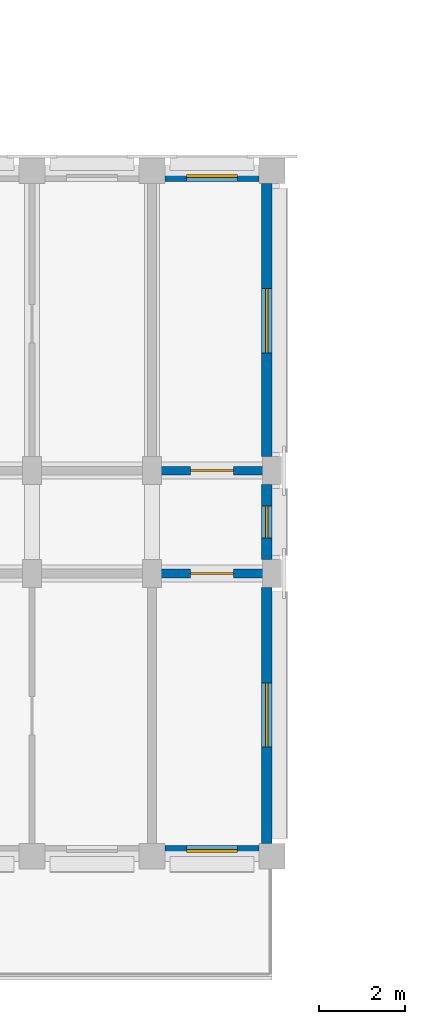
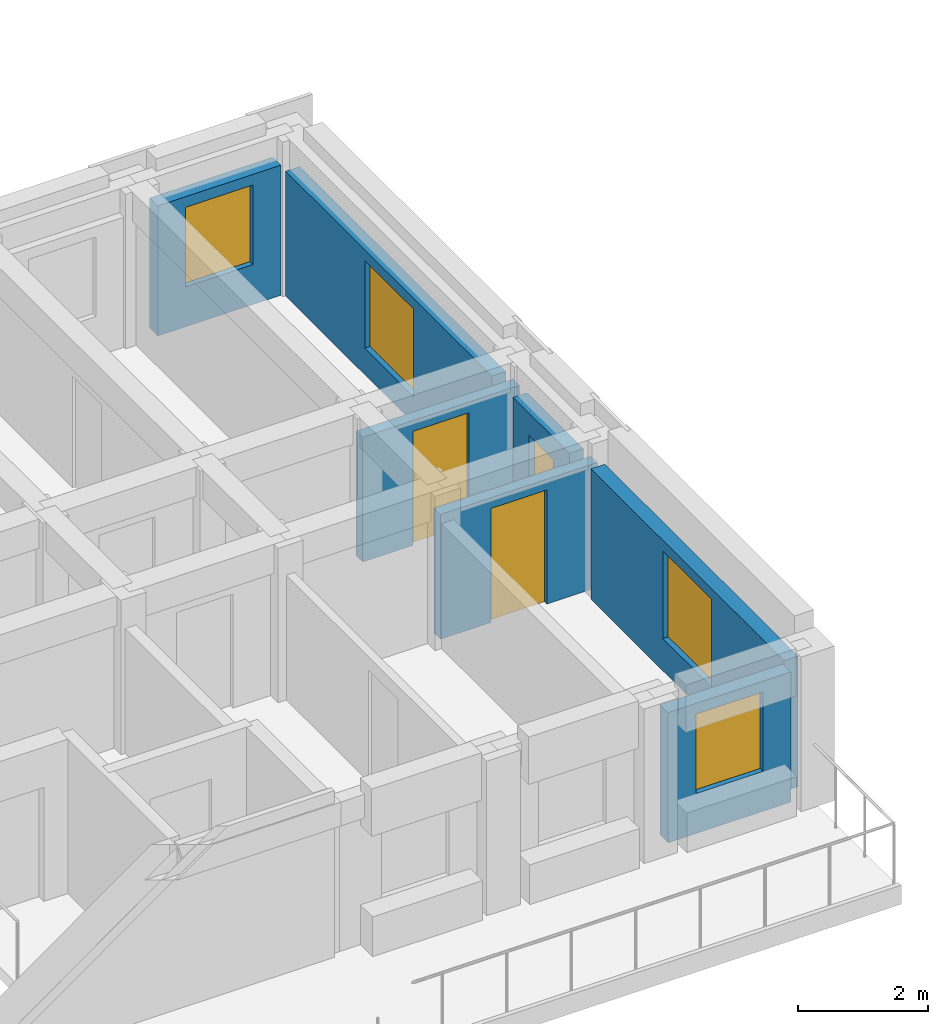
# One storey, part 21 of 53: 7 walls, 5 windows, 2 doors, 7 openings.
"""IFC4 building model written with IfcOpenShell, lengths in metres."""

import ifcopenshell
import ifcopenshell.guid

model = None  # the IFC model being written
_history = None  # IfcOwnerHistory: only IFC2X3 demands one
_inside = {}  # id of a spatial element -> (the spatial element, [elements in it])
_under = {}  # id of a project, library or spatial element -> (it, [spatial elements below it])
_declared = {}  # id of a project -> (the project, [libraries it declares])
_typed = {}  # id of a type object -> (the type object, [elements of that type])
_made_of = {}  # id of a material, layer set ... -> (it, [elements and type objects made of it])


def new_model(schema):
    """Start an empty IFC model of exactly this schema.

    Asked for "IFC4X3", IfcOpenShell would pick the latest addendum, in which some entities
    have other attributes; the version numbers below select the first issue.
    IFC2X3 requires an IfcOwnerHistory on every rooted entity: one is made here for all.
    """
    global model, _history
    if schema == "IFC4X3":
        model = ifcopenshell.file(schema_version=(4, 3, 0, 0))
    else:
        model = ifcopenshell.file(schema=schema)
    _inside.clear()
    _under.clear()
    _declared.clear()
    _typed.clear()
    _made_of.clear()
    _history = None
    if model.schema == "IFC2X3":
        org = make("IfcOrganization", Name="unknown")
        user = make(
            "IfcPersonAndOrganization",
            ThePerson=make("IfcPerson", FamilyName="unknown"),
            TheOrganization=org,
        )
        app = make(
            "IfcApplication",
            ApplicationDeveloper=org,
            Version="unknown",
            ApplicationFullName="unknown",
            ApplicationIdentifier="unknown",
        )
        _history = make(
            "IfcOwnerHistory",
            OwningUser=user,
            OwningApplication=app,
            ChangeAction="ADDED",
            CreationDate=0,
        )
    return model


def make(cls, **values):
    """One entity of the class cls with the attributes given. An attribute that is None is left unset."""
    return model.create_entity(
        cls, **{name: value for name, value in values.items() if value is not None}
    )


def rooted(cls, **values):
    """An entity with a GlobalId (a new one), such as an element, a storey or a relation."""
    return make(cls, GlobalId=ifcopenshell.guid.new(), OwnerHistory=_history, **values)


def si_unit(unit_type, name, prefix=None):
    """IfcSIUnit, for example si_unit("LENGTHUNIT", "METRE", prefix="MILLI")."""
    return make("IfcSIUnit", UnitType=unit_type, Prefix=prefix, Name=name)


def assignment(units):
    """IfcUnitAssignment: the units of a project."""
    return None if units is None else make("IfcUnitAssignment", Units=units)


def point(xyz):
    """IfcCartesianPoint."""
    return None if xyz is None else make("IfcCartesianPoint", Coordinates=xyz)


def direction(xyz):
    """IfcDirection."""
    return None if xyz is None else make("IfcDirection", DirectionRatios=xyz)


def frame(location, z_axis=None, x_axis=None):
    """IfcAxis2Placement3D, a coordinate frame: its origin and axes. An axis left out is left unset."""
    return make(
        "IfcAxis2Placement3D",
        Location=point(location),
        Axis=direction(z_axis),
        RefDirection=direction(x_axis),
    )


def frame_2d(location, x_axis=None):
    """IfcAxis2Placement2D, a coordinate frame in the plane: its origin and x axis."""
    return make(
        "IfcAxis2Placement2D", Location=point(location), RefDirection=direction(x_axis)
    )


def origin():
    """The frame at (0, 0, 0) with its axes left unset."""
    return frame((0.0, 0.0, 0.0))


def place(relative_to, where):
    """IfcLocalPlacement: puts the frame where relative to a parent placement (None: the world)."""
    return make(
        "IfcLocalPlacement", PlacementRelTo=relative_to, RelativePlacement=where
    )


def context(
    kind, dimensions, precision=None, world=None, true_north=None, identifier=None
):
    """IfcGeometricRepresentationContext, for example the 3D "Model" context."""
    return make(
        "IfcGeometricRepresentationContext",
        ContextIdentifier=identifier,
        ContextType=kind,
        CoordinateSpaceDimension=dimensions,
        Precision=precision,
        WorldCoordinateSystem=world,
        TrueNorth=true_north,
    )


def subcontext(parent, identifier, kind, view, scale=None):
    """IfcGeometricRepresentationSubContext, for example "Body" below "Model"."""
    return make(
        "IfcGeometricRepresentationSubContext",
        ContextIdentifier=identifier,
        ContextType=kind,
        ParentContext=parent,
        TargetScale=scale,
        TargetView=view,
    )


def project(units=None, contexts=None):
    """IfcProject with its units and contexts."""
    return rooted(
        "IfcProject",
        Name="project",
        RepresentationContexts=contexts,
        UnitsInContext=assignment(units),
    )


def spatial(cls, under=None, at=None, **own):
    """A site, building, storey or space (cls), placed at a placement, below another one or the project."""
    s = rooted(cls, ObjectPlacement=at, **own)
    if under is not None:
        _under.setdefault(under.id(), (under, []))[1].append(s)
    return s


def profile(cls, at=None, kind="AREA", **sizes):
    """A parametric profile (cls). Its sizes go by their IFC names, for example OverallWidth=200.0."""
    return make(cls, ProfileType=kind, Position=at, **sizes)


def rectangle(**sizes):
    """IfcRectangleProfileDef."""
    return profile("IfcRectangleProfileDef", **sizes)


def extrude(swept, where, along, depth):
    """IfcExtrudedAreaSolid: the profile swept, set in the frame where, extruded along a direction by depth."""
    return make(
        "IfcExtrudedAreaSolid",
        SweptArea=swept,
        Position=where,
        ExtrudedDirection=direction(along),
        Depth=depth,
    )


def shape(context_of_items, identifier, shape_type, items):
    """IfcShapeRepresentation: the items that make up one representation, for example the "Body"."""
    return make(
        "IfcShapeRepresentation",
        ContextOfItems=context_of_items,
        RepresentationIdentifier=identifier,
        RepresentationType=shape_type,
        Items=items,
    )


def material(Name=None, Category=None):
    """IfcMaterial."""
    return make("IfcMaterial", Name=Name, Category=Category)


def layer(
    of_material, thickness, ventilated=None, Name=None, Category=None, Priority=None
):
    """IfcMaterialLayer: one layer of a wall or slab, of a material (None: an air gap)."""
    return make(
        "IfcMaterialLayer",
        Material=of_material,
        LayerThickness=thickness,
        IsVentilated=ventilated,
        Name=Name,
        Category=Category,
        Priority=Priority,
    )


def layer_set(layers, Name=None):
    """IfcMaterialLayerSet."""
    return make("IfcMaterialLayerSet", MaterialLayers=layers, LayerSetName=Name)


def made_of(thing, what):
    """Note that an element or type object is made of a material, layer set ...; save() writes the relation."""
    if what is not None:
        _made_of.setdefault(what.id(), (what, []))[1].append(thing)
    return thing


def type_object(cls, material=None, **own):
    """A type object (cls), such as IfcWallType, which elements share."""
    return made_of(rooted(cls, **own), material)


def element(
    cls,
    number,
    at=None,
    inside=None,
    cuts=None,
    type_object=None,
    material=None,
    context=None,
    identifier="Body",
    shape_type=None,
    held_by="IfcProductDefinitionShape",
    body=None,
    shapes=None,
    **own,
):
    """One element of the class cls, such as IfcWall. Its Tag is "e" and its number.

    at: its placement. inside: the storey or other place that contains it. cuts: it is an
    opening in that element (IfcRelVoidsElement). A single representation is given by context,
    identifier, shape_type and body (its items); several are given by shapes. held_by: the class
    of the entity that holds the representations. save() writes the other relations.
    """
    e = rooted(cls, Tag="e%d" % number, ObjectPlacement=at, **own)
    if body is not None:
        shapes = [shape(context, identifier, shape_type, body)]
    if shapes is not None:
        e.Representation = make(held_by, Representations=shapes)
    if inside is not None:
        _inside.setdefault(inside.id(), (inside, []))[1].append(e)
    if cuts is not None:
        rooted(
            "IfcRelVoidsElement", RelatingBuildingElement=cuts, RelatedOpeningElement=e
        )
    if type_object is not None:
        _typed.setdefault(type_object.id(), (type_object, []))[1].append(e)
    return made_of(e, material)


def fill(opening, filler):
    """IfcRelFillsElement: the door or window that sits in an opening."""
    return rooted(
        "IfcRelFillsElement",
        RelatingOpeningElement=opening,
        RelatedBuildingElement=filler,
    )


def aggregate(whole, parts):
    """IfcRelAggregates: a whole, such as a stair, and the parts it consists of."""
    return rooted("IfcRelAggregates", RelatingObject=whole, RelatedObjects=parts)


def save(model, path):
    """Write the relations noted so far, then the file.

    IfcRelAggregates (storeys below a building ...), IfcRelContainedInSpatialStructure (elements
    in a storey), IfcRelDefinesByType, IfcRelAssociatesMaterial and IfcRelDeclares: one each for
    every whole, place, type object, material and project.
    """
    for whole, parts in _under.values():
        aggregate(whole, parts)
    for where, things in _inside.values():
        rooted(
            "IfcRelContainedInSpatialStructure",
            RelatedElements=things,
            RelatingStructure=where,
        )
    for kind, things in _typed.values():
        rooted("IfcRelDefinesByType", RelatedObjects=things, RelatingType=kind)
    for what, things in _made_of.values():
        rooted("IfcRelAssociatesMaterial", RelatedObjects=things, RelatingMaterial=what)
    for by, libraries in _declared.values():
        rooted("IfcRelDeclares", RelatingContext=by, RelatedDefinitions=libraries)
    model.write(path)


model = new_model("IFC4")

# Units and contexts
model_context = context("Model", 3, precision=1e-05, world=origin(), true_north=direction((0.0, 1.0)))
body_context = subcontext(model_context, "Body", "Model", "MODEL_VIEW")
ifc_project = project(units=[si_unit("LENGTHUNIT", "METRE"), si_unit("AREAUNIT", "SQUARE_METRE"), si_unit("VOLUMEUNIT", "CUBIC_METRE"), si_unit("PLANEANGLEUNIT", "RADIAN"), si_unit("MASSUNIT", "GRAM", prefix="KILO")], contexts=[model_context])

# Site, building, storey
site_placement = place(None, origin())
site = spatial("IfcSite", under=ifc_project, at=site_placement, CompositionType="ELEMENT")
building_placement = place(site_placement, origin())
building = spatial("IfcBuilding", under=site, at=building_placement, Name="Kiranvali Square Residences", CompositionType="ELEMENT")
storey_placement = place(building_placement, frame((0.0, 0.0, 30.75)))
storey = spatial("IfcBuildingStorey", under=building, at=storey_placement, Name="L09", CompositionType="ELEMENT", Elevation=30.75)

# Wall, opening, door
ifc_material_1 = material(Name="Autoclaved aerated concrete blockwork masonry", Category="masonry")
ifc_layer_1 = layer(ifc_material_1, 0.199951171875)
ifc_layer_set_1 = layer_set([ifc_layer_1], Name="Autoclaved aerated concrete blockwork masonry")
wall_type_1 = type_object("IfcWallType", Name="WL-COR-200", PredefinedType="STANDARD", material=ifc_layer_set_1)
wall_1_placement = place(storey_placement, frame((65.0, 22.39990234375, 0.0), z_axis=(0.0, 0.0, 1.0), x_axis=(1.0, 0.0, 0.0)))
wall_1 = element("IfcWall", 1, at=wall_1_placement, inside=storey, type_object=wall_type_1, Name="L09 architectural wall WL-L09-C-A1CI-2", PredefinedType="STANDARD", context=body_context, shape_type="SweptSolid", body=[
    extrude(rectangle(XDim=2.800048828125, YDim=0.199951171875, at=frame_2d((1.39990234375, 0.0))), origin(), (0.0, 0.0, 1.0), 2.35205078125),
])
opening_1_placement = place(wall_1_placement, frame((0.89990234375, 0.0, 0.0)))
opening_1 = element("IfcOpeningElement", 2, at=opening_1_placement, cuts=wall_1, Name="Opening FD-APT-60", PredefinedType="OPENING", context=body_context, shape_type="SweptSolid", body=[
    extrude(rectangle(XDim=1.0, YDim=2.14990234375, at=frame_2d((0.5, 1.074951171875))), frame((0.0, 0.10986328125, 0.0), z_axis=(0.0, -1.0, 0.0), x_axis=(1.0, 0.0, 0.0)), (0.0, 0.0, 1.0), 0.219970703125),
])
ifc_material_2 = material(Name="Fire-rated acoustic hardwood and mineral-core door assembly", Category="wood")
door_type = type_object("IfcDoorType", Name="DR-APT-1000", OperationType="NOTDEFINED", PredefinedType="DOOR", material=ifc_material_2)
door_1_placement = place(opening_1_placement, frame((1.0, 0.0, 0.0), z_axis=(0.0, 0.0, 1.0), x_axis=(-1.0, 0.0, 0.0)))
door_1 = element("IfcDoor", 3, at=door_1_placement, inside=storey, type_object=door_type, Name="L09 door DR-L09-2268 (DR-APT-1000)", OperationType="SINGLE_SWING_RIGHT", OverallHeight=2.14990234375, OverallWidth=1.0, PredefinedType="DOOR", context=body_context, shape_type="SweptSolid", body=[
    extrude(rectangle(XDim=1.0, YDim=2.14990234375, at=frame_2d((0.5, 1.074951171875))), frame((0.0, 0.02490234375, 0.0), z_axis=(0.0, -1.0, 0.0), x_axis=(1.0, 0.0, 0.0)), (0.0, 0.0, 1.0), 0.050048828125),
])
fill(opening_1, door_1)

wall_2_placement = place(storey_placement, frame((65.0, 20.0, 0.0), z_axis=(0.0, 0.0, 1.0), x_axis=(1.0, 0.0, 0.0)))
wall_2 = element("IfcWall", 4, at=wall_2_placement, inside=storey, type_object=wall_type_1, Name="L09 architectural wall WL-L09-C-A1CO-2", PredefinedType="STANDARD", context=body_context, shape_type="SweptSolid", body=[
    extrude(rectangle(XDim=2.800048828125, YDim=0.199951171875, at=frame_2d((1.39990234375, 0.0))), origin(), (0.0, 0.0, 1.0), 2.35205078125),
])
opening_2_placement = place(wall_2_placement, frame((0.89990234375, 0.0, 0.0)))
opening_2 = element("IfcOpeningElement", 5, at=opening_2_placement, cuts=wall_2, Name="Opening FD-APT-60", PredefinedType="OPENING", context=body_context, shape_type="SweptSolid", body=[
    extrude(rectangle(XDim=1.0, YDim=2.14990234375, at=frame_2d((0.5, 1.074951171875))), frame((0.0, 0.10986328125, 0.0), z_axis=(0.0, -1.0, 0.0), x_axis=(1.0, 0.0, 0.0)), (0.0, 0.0, 1.0), 0.219970703125),
])
door_2_placement = place(opening_2_placement, origin())
door_2 = element("IfcDoor", 6, at=door_2_placement, inside=storey, type_object=door_type, Name="L09 door DR-L09-2269 (DR-APT-1000)", OperationType="SINGLE_SWING_LEFT", OverallHeight=2.14990234375, OverallWidth=1.0, PredefinedType="DOOR", context=body_context, shape_type="SweptSolid", body=[
    extrude(rectangle(XDim=1.0, YDim=2.14990234375, at=frame_2d((0.5, 1.074951171875))), frame((0.0, 0.02490234375, 0.0), z_axis=(0.0, -1.0, 0.0), x_axis=(1.0, 0.0, 0.0)), (0.0, 0.0, 1.0), 0.050048828125),
])
fill(opening_2, door_2)

# Wall, opening, window
ifc_material_3 = material(Name="Breathable lime-rendered clay brick masonry", Category="masonry")
ifc_layer_2 = layer(ifc_material_3, 0.25)
ifc_layer_set_2 = layer_set([ifc_layer_2], Name="Breathable lime-rendered clay brick masonry")
wall_type_2 = type_object("IfcWallType", Name="WL-EXT-250", PredefinedType="STANDARD", material=ifc_layer_set_2)
wall_3_placement = place(storey_placement, frame((65.303466796875, 13.52490234375, 0.0), z_axis=(0.0, 0.0, 1.0), x_axis=(1.0, 0.0, 0.0)))
wall_3 = element("IfcWall", 7, at=wall_3_placement, inside=storey, type_object=wall_type_2, Name="L09 exterior wall C-L09-A1TO-2", PredefinedType="STANDARD", context=body_context, shape_type="SweptSolid", body=[
    extrude(rectangle(XDim=2.193115234375, YDim=0.25, at=frame_2d((1.0966796875, 0.0))), origin(), (0.0, 0.0, 1.0), 2.451904296875),
])
opening_3_placement = place(wall_3_placement, frame((0.49658203125, 0.0, 0.751953125)))
opening_3 = element("IfcOpeningElement", 8, at=opening_3_placement, cuts=wall_3, Name="Opening W-06", PredefinedType="OPENING", context=body_context, shape_type="SweptSolid", body=[
    extrude(rectangle(XDim=1.199951171875, YDim=1.5, at=frame_2d((0.60009765625, 0.75))), frame((0.0, 0.135009765625, 0.0), z_axis=(0.0, -1.0, 0.0), x_axis=(1.0, 0.0, 0.0)), (0.0, 0.0, 1.0), 0.27001953125),
])
ifc_material_4 = material(Name="Solar-control low-e double glazing", Category="glass")
window_type_1 = type_object("IfcWindowType", Name="WIN-RES-1200x1500", PartitioningType="SINGLE_PANEL", PredefinedType="WINDOW", material=ifc_material_4)
window_1_placement = place(opening_3_placement, origin())
window_1 = element("IfcWindow", 9, at=window_1_placement, inside=storey, type_object=window_type_1, Name="L09 recessed window C-L09-A1TO-2", OverallHeight=1.5, OverallWidth=1.199951171875, PartitioningType="SINGLE_PANEL", PredefinedType="WINDOW", context=body_context, shape_type="SweptSolid", body=[
    extrude(rectangle(XDim=1.199951171875, YDim=1.5, at=frame_2d((0.60009765625, 0.75))), frame((0.0, 0.030029296875, 0.0), z_axis=(0.0, -1.0, 0.0), x_axis=(1.0, 0.0, 0.0)), (0.0, 0.0, 1.0), 0.06005859375),
])
fill(opening_3, window_1)

wall_4_placement = place(storey_placement, frame((65.303466796875, 29.27490234375, 0.0), z_axis=(0.0, 0.0, 1.0), x_axis=(1.0, 0.0, 0.0)))
wall_4 = element("IfcWall", 10, at=wall_4_placement, inside=storey, type_object=wall_type_2, Name="L09 exterior wall C-L09-A1I-2", PredefinedType="STANDARD", context=body_context, shape_type="SweptSolid", body=[
    extrude(rectangle(XDim=2.193115234375, YDim=0.25, at=frame_2d((1.0966796875, 0.0))), origin(), (0.0, 0.0, 1.0), 2.451904296875),
])
opening_4_placement = place(wall_4_placement, frame((0.49658203125, 0.0, 0.751953125)))
opening_4 = element("IfcOpeningElement", 11, at=opening_4_placement, cuts=wall_4, Name="Opening W-06", PredefinedType="OPENING", context=body_context, shape_type="SweptSolid", body=[
    extrude(rectangle(XDim=1.199951171875, YDim=1.5, at=frame_2d((0.60009765625, 0.75))), frame((0.0, 0.135009765625, 0.0), z_axis=(0.0, -1.0, 0.0), x_axis=(1.0, 0.0, 0.0)), (0.0, 0.0, 1.0), 0.27001953125),
])
window_2_placement = place(opening_4_placement, origin())
window_2 = element("IfcWindow", 12, at=window_2_placement, inside=storey, type_object=window_type_1, Name="L09 recessed window C-L09-A1I-2", OverallHeight=1.5, OverallWidth=1.199951171875, PartitioningType="SINGLE_PANEL", PredefinedType="WINDOW", context=body_context, shape_type="SweptSolid", body=[
    extrude(rectangle(XDim=1.199951171875, YDim=1.5, at=frame_2d((0.60009765625, 0.75))), frame((0.0, 0.030029296875, 0.0), z_axis=(0.0, -1.0, 0.0), x_axis=(1.0, 0.0, 0.0)), (0.0, 0.0, 1.0), 0.06005859375),
])
fill(opening_4, window_2)

wall_5_placement = place(storey_placement, frame((67.675048828125, 29.096435546875, 0.0), z_axis=(0.0, 0.0, 1.0), x_axis=(0.0, -1.0, 0.0)))
wall_5 = element("IfcWall", 13, at=wall_5_placement, inside=storey, type_object=wall_type_2, Name="L09 exterior wall C-L09-A1END-0", PredefinedType="STANDARD", context=body_context, shape_type="SweptSolid", body=[
    extrude(rectangle(XDim=6.367919921875, YDim=0.25, at=frame_2d((3.18408203125, 0.0))), origin(), (0.0, 0.0, 1.0), 2.35205078125),
])
opening_5_placement = place(wall_5_placement, frame((2.446533203125, 0.0, 0.501953125)))
opening_5 = element("IfcOpeningElement", 14, at=opening_5_placement, cuts=wall_5, Name="Opening W-05", PredefinedType="OPENING", context=body_context, shape_type="SweptSolid", body=[
    extrude(rectangle(XDim=1.5, YDim=1.64990234375, at=frame_2d((0.75, 0.824951171875))), frame((0.0, 0.135009765625, 0.0), z_axis=(0.0, -1.0, 0.0), x_axis=(1.0, 0.0, 0.0)), (0.0, 0.0, 1.0), 0.27001953125),
])
window_type_2 = type_object("IfcWindowType", Name="WIN-RES-1500x1650", PartitioningType="DOUBLE_PANEL_VERTICAL", PredefinedType="WINDOW", material=ifc_material_4)
window_3_placement = place(opening_5_placement, origin())
window_3 = element("IfcWindow", 15, at=window_3_placement, inside=storey, type_object=window_type_2, Name="L09 recessed window C-L09-A1END-0", OverallHeight=1.64990234375, OverallWidth=1.5, PartitioningType="DOUBLE_PANEL_VERTICAL", PredefinedType="WINDOW", context=body_context, shape_type="SweptSolid", body=[
    extrude(rectangle(XDim=1.5, YDim=1.64990234375, at=frame_2d((0.75, 0.824951171875))), frame((0.0, 0.030029296875, 0.0), z_axis=(0.0, -1.0, 0.0), x_axis=(1.0, 0.0, 0.0)), (0.0, 0.0, 1.0), 0.06005859375),
])
fill(opening_5, window_3)

wall_6_placement = place(storey_placement, frame((67.675048828125, 22.071533203125, 0.0), z_axis=(0.0, 0.0, 1.0), x_axis=(0.0, -1.0, 0.0)))
wall_6 = element("IfcWall", 16, at=wall_6_placement, inside=storey, type_object=wall_type_2, Name="L09 exterior wall C-L09-A1END-1", PredefinedType="STANDARD", context=body_context, shape_type="SweptSolid", body=[
    extrude(rectangle(XDim=1.742919921875, YDim=0.25, at=frame_2d((0.87158203125, 0.0))), origin(), (0.0, 0.0, 1.0), 2.35205078125),
])
opening_6_placement = place(wall_6_placement, frame((0.49658203125, 0.0, 0.8798828125)))
opening_6 = element("IfcOpeningElement", 17, at=opening_6_placement, cuts=wall_6, Name="Opening W-07", PredefinedType="OPENING", context=body_context, shape_type="SweptSolid", body=[
    extrude(rectangle(XDim=0.75, YDim=1.050048828125, at=frame_2d((0.375, 0.52490234375))), frame((0.0, 0.135009765625, 0.0), z_axis=(0.0, -1.0, 0.0), x_axis=(1.0, 0.0, 0.0)), (0.0, 0.0, 1.0), 0.27001953125),
])
window_type_3 = type_object("IfcWindowType", Name="WIN-WET-750x1050", PartitioningType="SINGLE_PANEL", PredefinedType="WINDOW", material=ifc_material_4)
window_4_placement = place(opening_6_placement, origin())
window_4 = element("IfcWindow", 18, at=window_4_placement, inside=storey, type_object=window_type_3, Name="L09 recessed window C-L09-A1END-1", OverallHeight=1.050048828125, OverallWidth=0.75, PartitioningType="SINGLE_PANEL", PredefinedType="WINDOW", context=body_context, shape_type="SweptSolid", body=[
    extrude(rectangle(XDim=0.75, YDim=1.050048828125, at=frame_2d((0.375, 0.52490234375))), frame((0.0, 0.030029296875, 0.0), z_axis=(0.0, -1.0, 0.0), x_axis=(1.0, 0.0, 0.0)), (0.0, 0.0, 1.0), 0.06005859375),
])
fill(opening_6, window_4)

wall_7_placement = place(storey_placement, frame((67.675048828125, 19.67138671875, 0.0), z_axis=(0.0, 0.0, 1.0), x_axis=(0.0, -1.0, 0.0)))
wall_7 = element("IfcWall", 19, at=wall_7_placement, inside=storey, type_object=wall_type_2, Name="L09 exterior wall C-L09-A1END-2", PredefinedType="STANDARD", context=body_context, shape_type="SweptSolid", body=[
    extrude(rectangle(XDim=5.9677734375, YDim=0.25, at=frame_2d((2.98388671875, 0.0))), origin(), (0.0, 0.0, 1.0), 2.4599609375),
])
opening_7_placement = place(wall_7_placement, frame((2.221435546875, 0.0, 0.610107421875)))
opening_7 = element("IfcOpeningElement", 20, at=opening_7_placement, cuts=wall_7, Name="Opening W-05", PredefinedType="OPENING", context=body_context, shape_type="SweptSolid", body=[
    extrude(rectangle(XDim=1.5, YDim=1.64990234375, at=frame_2d((0.75, 0.824951171875))), frame((0.0, 0.135009765625, 0.0), z_axis=(0.0, -1.0, 0.0), x_axis=(1.0, 0.0, 0.0)), (0.0, 0.0, 1.0), 0.27001953125),
])
window_5_placement = place(opening_7_placement, origin())
window_5 = element("IfcWindow", 21, at=window_5_placement, inside=storey, type_object=window_type_2, Name="L09 recessed window C-L09-A1END-2", OverallHeight=1.64990234375, OverallWidth=1.5, PartitioningType="DOUBLE_PANEL_VERTICAL", PredefinedType="WINDOW", context=body_context, shape_type="SweptSolid", body=[
    extrude(rectangle(XDim=1.5, YDim=1.64990234375, at=frame_2d((0.75, 0.824951171875))), frame((0.0, 0.030029296875, 0.0), z_axis=(0.0, -1.0, 0.0), x_axis=(1.0, 0.0, 0.0)), (0.0, 0.0, 1.0), 0.06005859375),
])
fill(opening_7, window_5)

save(model, "model.ifc")
